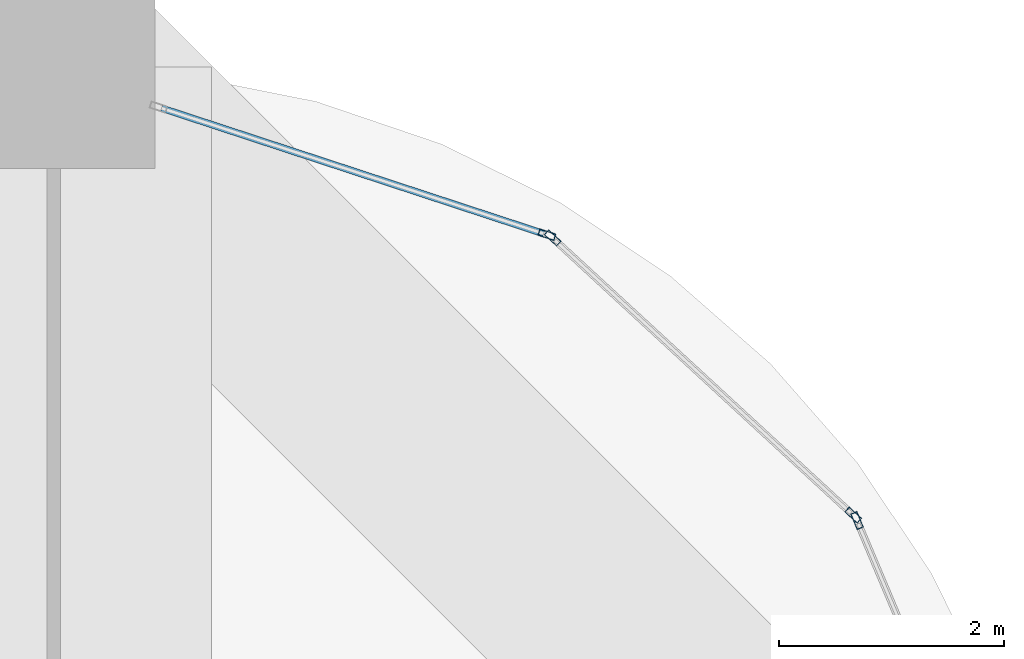
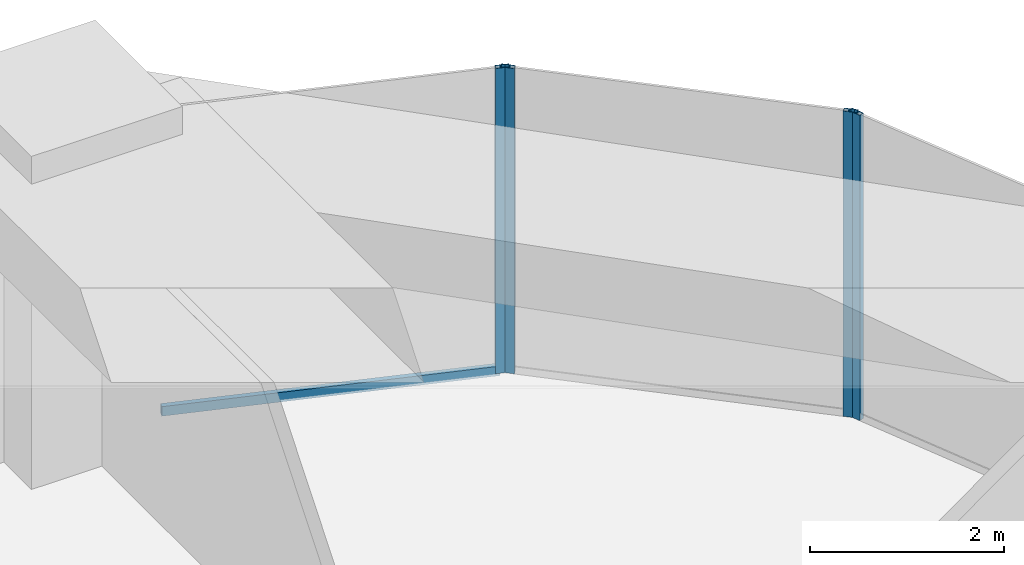
# One storey, part 40 of 45: 5 members, 3 elements without a shape of their own.
"""IFC4 building model written with IfcOpenShell, lengths in metres."""

from ifc_helpers import new_model, si_unit, direction, frame, origin, origin_2d, place, context, subcontext, project, spatial, hollow_rectangle, extrude, material, material_profile, profile_set, type_object, element, aggregate, save


model = new_model("IFC4")

# Units and contexts
model_context = context("Model", 3, precision=1e-05, world=origin(), true_north=direction((0.0, 1.0)))
body_context = subcontext(model_context, "Body", "Model", "MODEL_VIEW")
ifc_project = project(units=[si_unit("LENGTHUNIT", "METRE"), si_unit("AREAUNIT", "SQUARE_METRE"), si_unit("VOLUMEUNIT", "CUBIC_METRE"), si_unit("PLANEANGLEUNIT", "RADIAN"), si_unit("MASSUNIT", "GRAM", prefix="KILO")], contexts=[model_context])

# Site, building, storey
site_placement = place(None, origin())
site = spatial("IfcSite", under=ifc_project, at=site_placement, CompositionType="ELEMENT")
building_placement = place(site_placement, origin())
building = spatial("IfcBuilding", under=site, at=building_placement, Name="Zorevar Civic Tower", CompositionType="ELEMENT")
storey_placement = place(building_placement, frame((0.0, 0.0, 153.0)))
storey = spatial("IfcBuildingStorey", under=building, at=storey_placement, Name="L37", CompositionType="ELEMENT", Elevation=153.0)

# Curtain wall, member
ifc_material_1 = material(Name="Dark grey solar-control glass in black aluminium frame", Category="aluminium")
curtain_wall_type = type_object("IfcCurtainWallType", Name="Curtain wall CW3 mid zone", PredefinedType="NOTDEFINED", material=ifc_material_1)
curtain_wall_1_placement = place(storey_placement, origin())
curtain_wall_1 = element("IfcCurtainWall", 1, at=curtain_wall_1_placement, inside=storey, type_object=curtain_wall_type, Name="CW3 L37", PredefinedType="NOTDEFINED")
ifc_material_2 = material(Name="Aluminium, black anodised", Category="aluminium")
ifc_material_profile_1 = material_profile(ifc_material_2, hollow_rectangle(XDim=0.06005859375, YDim=0.14990234375, WallThickness=0.00390625, at=origin_2d()), Name="AL 150x60x4")
ifc_profile_set_1 = profile_set([ifc_material_profile_1], Name="Aluminium, black anodised")
member_type_1 = type_object("IfcMemberType", Name="CW3 mullion AL 150x60x4", PredefinedType="MULLION", material=ifc_profile_set_1)
member_1_placement = place(storey_placement, frame((61.130859375, 40.97314453125, 0.0), z_axis=(0.0, 0.0, 1.0), x_axis=(-0.921581744025, -0.388184349349, 0.0)))
member_1 = element("IfcMember", 2, at=member_1_placement, type_object=member_type_1, Name="CW3 mullion 2", PredefinedType="MULLION", context=body_context, shape_type="SweptSolid", body=[
    extrude(hollow_rectangle(XDim=0.06005859375, YDim=0.14990234375, WallThickness=0.00390625, at=origin_2d()), origin(), (0.0, 0.0, 1.0), 3.85009765625),
])
aggregate(curtain_wall_1, [member_1])

# Curtain wall, members
curtain_wall_2_placement = place(storey_placement, origin())
curtain_wall_2 = element("IfcCurtainWall", 3, at=curtain_wall_2_placement, inside=storey, type_object=curtain_wall_type, Name="CW3 L37", PredefinedType="NOTDEFINED")
member_2_placement = place(storey_placement, frame((61.09716796875, 41.02099609375, 0.0), z_axis=(0.0, 0.0, 1.0), x_axis=(-0.677777450165, -0.7352671134, 0.0)))
member_2 = element("IfcMember", 4, at=member_2_placement, type_object=member_type_1, Name="CW3 mullion 1", PredefinedType="MULLION", context=body_context, shape_type="SweptSolid", body=[
    extrude(hollow_rectangle(XDim=0.06005859375, YDim=0.14990234375, WallThickness=0.00390625, at=origin_2d()), origin(), (0.0, 0.0, 1.0), 3.85009765625),
])
member_3_placement = place(storey_placement, frame((58.427978515625, 43.4814453125, 0.0), z_axis=(0.0, 0.0, 1.0), x_axis=(-0.677777450165, -0.7352671134, 0.0)))
member_3 = element("IfcMember", 5, at=member_3_placement, type_object=member_type_1, Name="CW3 mullion 2", PredefinedType="MULLION", context=body_context, shape_type="SweptSolid", body=[
    extrude(hollow_rectangle(XDim=0.06005859375, YDim=0.14990234375, WallThickness=0.00390625, at=origin_2d()), origin(), (0.0, 0.0, 1.0), 3.85009765625),
])
aggregate(curtain_wall_2, [member_2, member_3])

curtain_wall_3_placement = place(storey_placement, origin())
curtain_wall_3 = element("IfcCurtainWall", 6, at=curtain_wall_3_placement, inside=storey, type_object=curtain_wall_type, Name="CW3 L37", PredefinedType="NOTDEFINED")
member_4_placement = place(storey_placement, frame((58.37744140625, 43.51123046875, 0.0), z_axis=(0.0, 0.0, 1.0), x_axis=(-0.31203637361, -0.950070156117, 0.0)))
member_4 = element("IfcMember", 7, at=member_4_placement, type_object=member_type_1, Name="CW3 mullion 1", PredefinedType="MULLION", context=body_context, shape_type="SweptSolid", body=[
    extrude(hollow_rectangle(XDim=0.06005859375, YDim=0.14990234375, WallThickness=0.00390625, at=origin_2d()), origin(), (0.0, 0.0, 1.0), 3.85009765625),
])
ifc_material_3 = material(Name="Aluminium, black anodised", Category="aluminium")
ifc_material_profile_2 = material_profile(ifc_material_3, hollow_rectangle(XDim=0.06005859375, YDim=0.1201171875, WallThickness=0.0029296875, at=origin_2d()), Name="AL 120x60x3")
ifc_profile_set_2 = profile_set([ifc_material_profile_2], Name="Aluminium, black anodised")
member_type_2 = type_object("IfcMemberType", Name="CW3 transom AL 120x60x3", PredefinedType="USERDEFINED", material=ifc_profile_set_2)
member_5_placement = place(storey_placement, frame((58.348876953125, 43.5205078125, 0.030029296875), z_axis=(-0.950069115138, 0.312039543106, 0.0), x_axis=(-0.312039543106, -0.950069115138, 0.0)))
member_5 = element("IfcMember", 8, at=member_5_placement, type_object=member_type_2, Name="CW3 sill transom", ObjectType="TRANSOM", PredefinedType="USERDEFINED", context=body_context, shape_type="SweptSolid", body=[
    extrude(hollow_rectangle(XDim=0.06005859375, YDim=0.1201171875, WallThickness=0.0029296875, at=origin_2d()), origin(), (0.0, 0.0, 1.0), 3.570068359375),
])
aggregate(curtain_wall_3, [member_4, member_5])

save(model, "model.ifc")
